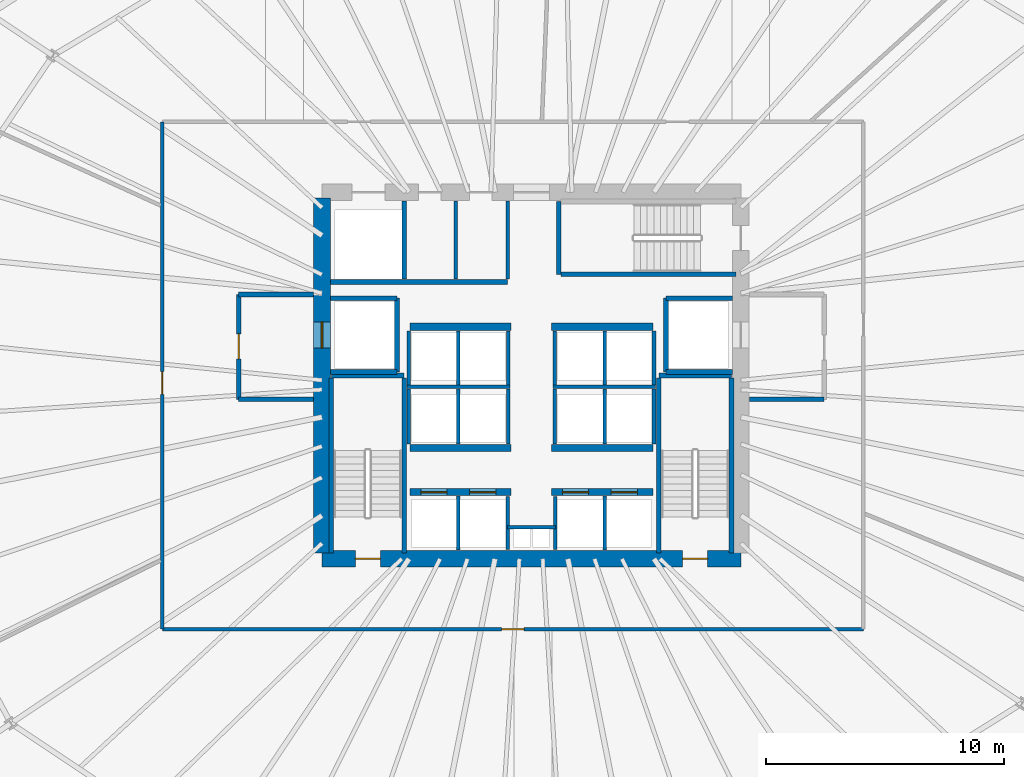
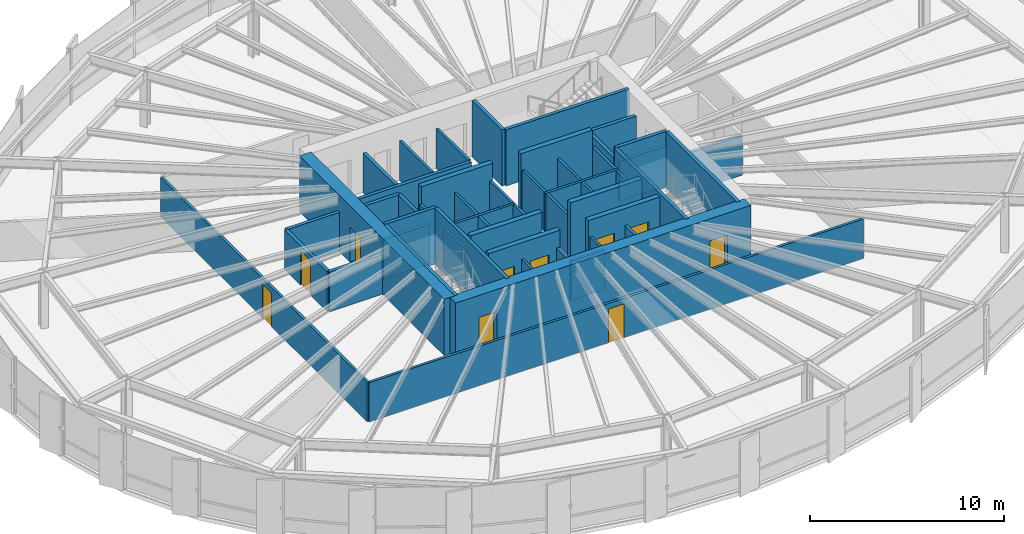
# One storey, part 29 of 35: 51 walls, 10 doors, 10 openings.
"""IFC4 building model written with IfcOpenShell, lengths in metres."""

from ifc_helpers import new_model, si_unit, direction, frame, frame_2d, origin, place, context, subcontext, project, spatial, rectangle, extrude, source, transform, mapped, material, layer, layer_set, type_object, element, fill, save


model = new_model("IFC4")

# Units and contexts
model_context = context("Model", 3, precision=1e-05, world=origin(), true_north=direction((0.0, 1.0)))
body_context = subcontext(model_context, "Body", "Model", "MODEL_VIEW")
ifc_project = project(units=[si_unit("LENGTHUNIT", "METRE"), si_unit("AREAUNIT", "SQUARE_METRE"), si_unit("VOLUMEUNIT", "CUBIC_METRE"), si_unit("PLANEANGLEUNIT", "RADIAN"), si_unit("MASSUNIT", "GRAM", prefix="KILO"), si_unit("THERMODYNAMICTEMPERATUREUNIT", "KELVIN")], contexts=[model_context])

# Site, building, storey
site_placement = place(None, origin())
site = spatial("IfcSite", under=ifc_project, at=site_placement, CompositionType="ELEMENT")
building_placement = place(site_placement, origin())
building = spatial("IfcBuilding", under=site, at=building_placement, Name="Kethvar Cultural Tower", CompositionType="ELEMENT")
storey_placement = place(building_placement, frame((0.0, 0.0, 71.39990234375)))
storey = spatial("IfcBuildingStorey", under=building, at=storey_placement, Name="L17", CompositionType="ELEMENT", Elevation=71.39990234375)

# Wall, openings, doors
ifc_material_1 = material(Name="Concrete C60/75", Category="concrete")
ifc_layer_1 = layer(ifc_material_1, 0.699951171875, Name="Concrete C60/75", Category="concrete")
ifc_layer_set_1 = layer_set([ifc_layer_1], Name="Concrete C60/75 (700 mm)")
wall_type_1 = type_object("IfcWallType", Name="WL-CORE-700", PredefinedType="SHEAR", material=ifc_layer_set_1)
wall_1_placement = place(storey_placement, frame((38.0, 20.10009765625, 0.0), z_axis=(0.0, 0.0, 1.0), x_axis=(1.0, 0.0, 0.0)))
wall_1 = element("IfcWall", 1, at=wall_1_placement, inside=storey, type_object=wall_type_1, Name="L17 Core Shear Wall S", PredefinedType="SHEAR", context=body_context, shape_type="SweptSolid", body=[
    extrude(rectangle(XDim=17.60009765625, YDim=0.699951171875, at=frame_2d((8.800048828125, 0.0))), origin(), (0.0, 0.0, 1.0), 3.5400390625),
])
opening_1_placement = place(wall_1_placement, frame((1.39990234375, 0.0, 0.0)))
opening_1 = element("IfcOpeningElement", 2, at=opening_1_placement, cuts=wall_1, Name="Opening D-L17-S1", PredefinedType="OPENING", context=body_context, shape_type="SweptSolid", body=[
    extrude(rectangle(XDim=1.050048828125, YDim=2.14990234375, at=frame_2d((0.52490234375, 1.074951171875))), frame((0.0, 0.35986328125, 0.0), z_axis=(0.0, -1.0, 0.0), x_axis=(1.0, 0.0, 0.0)), (0.0, 0.0, 1.0), 0.719970703125),
])
opening_2_placement = place(wall_1_placement, frame((15.14990234375, 0.0, 0.0)))
opening_2 = element("IfcOpeningElement", 3, at=opening_2_placement, cuts=wall_1, Name="Opening D-L17-ST2", PredefinedType="OPENING", context=body_context, shape_type="SweptSolid", body=[
    extrude(rectangle(XDim=1.050048828125, YDim=2.14990234375, at=frame_2d((0.52490234375, 1.074951171875))), frame((0.0, 0.35986328125, 0.0), z_axis=(0.0, -1.0, 0.0), x_axis=(1.0, 0.0, 0.0)), (0.0, 0.0, 1.0), 0.719970703125),
])
ifc_material_2 = material(Name="Steel S355J2", Category="steel")
door_type_1 = type_object("IfcDoorType", Name="DR-FD60-1050", OperationType="NOTDEFINED", PredefinedType="DOOR", material=ifc_material_2)
shared_shape_1 = source(origin(), body_context, "Body", "SweptSolid", [
    extrude(rectangle(XDim=1.050048828125, YDim=2.14990234375, at=frame_2d((0.52490234375, 1.074951171875))), frame((0.0, 0.02490234375, 0.0), z_axis=(0.0, -1.0, 0.0), x_axis=(1.0, 0.0, 0.0)), (0.0, 0.0, 1.0), 0.050048828125),
])
door_1_placement = place(opening_1_placement, origin())
door_1 = element("IfcDoor", 4, at=door_1_placement, inside=storey, type_object=door_type_1, Name="L17 Exit Stair 1 Door", OperationType="SINGLE_SWING_LEFT", OverallHeight=2.14990234375, OverallWidth=1.050048828125, PredefinedType="DOOR", context=body_context, shape_type="MappedRepresentation", body=[
    mapped(shared_shape_1, transform((0.0, 0.0, 0.0), scale=1.0)),
])
fill(opening_1, door_1)
door_2_placement = place(opening_2_placement, origin())
door_2 = element("IfcDoor", 5, at=door_2_placement, inside=storey, type_object=door_type_1, Name="L17 Exit Stair 2 Door", OperationType="SINGLE_SWING_RIGHT", OverallHeight=2.14990234375, OverallWidth=1.050048828125, PredefinedType="DOOR", context=body_context, shape_type="MappedRepresentation", body=[
    mapped(shared_shape_1, transform((0.0, 0.0, 0.0), scale=1.0)),
])
fill(opening_2, door_2)

# Wall, opening, door
wall_2_placement = place(storey_placement, frame((38.0, 35.260009765625, 0.0), z_axis=(0.0, 0.0, 1.0), x_axis=(0.0, -1.0, 0.0)))
wall_2 = element("IfcWall", 6, at=wall_2_placement, inside=storey, type_object=wall_type_1, Name="L17 Core Shear Wall W", PredefinedType="SHEAR", context=body_context, shape_type="SweptSolid", body=[
    extrude(rectangle(XDim=14.919921875, YDim=0.699951171875, at=frame_2d((7.4599609375, 0.0))), origin(), (0.0, 0.0, 1.0), 3.5400390625),
])
opening_3_placement = place(wall_2_placement, frame((5.2099609375, 0.0, 0.0)))
opening_3 = element("IfcOpeningElement", 7, at=opening_3_placement, cuts=wall_2, Name="Opening LD-1", PredefinedType="OPENING", context=body_context, shape_type="SweptSolid", body=[
    extrude(rectangle(XDim=1.10009765625, YDim=2.199951171875, at=frame_2d((0.550048828125, 1.10009765625))), frame((0.0, 0.35986328125, 0.0), z_axis=(0.0, -1.0, 0.0), x_axis=(1.0, 0.0, 0.0)), (0.0, 0.0, 1.0), 0.719970703125),
])
door_type_2 = type_object("IfcDoorType", Name="DR-LIFT-SLIDE-1100", OperationType="NOTDEFINED", PredefinedType="DOOR", material=ifc_material_2)
shared_shape_2 = source(origin(), body_context, "Body", "SweptSolid", [
    extrude(rectangle(XDim=1.10009765625, YDim=2.199951171875, at=frame_2d((0.550048828125, 1.10009765625))), frame((0.0, 0.02490234375, 0.0), z_axis=(0.0, -1.0, 0.0), x_axis=(1.0, 0.0, 0.0)), (0.0, 0.0, 1.0), 0.050048828125),
])
door_3_placement = place(opening_3_placement, origin())
door_3 = element("IfcDoor", 8, at=door_3_placement, inside=storey, type_object=door_type_2, Name="L17 Firefighting Lift Landing Door FFL-01", OperationType="SLIDING_TO_LEFT", OverallHeight=2.199951171875, OverallWidth=1.10009765625, PredefinedType="DOOR", context=body_context, shape_type="MappedRepresentation", body=[
    mapped(shared_shape_2, transform((0.0, 0.0, 0.0), scale=1.0)),
])
fill(opening_3, door_3)

# Walls
ifc_material_3 = material(Name="Gypsum Fireboard Partition")
ifc_layer_2 = layer(ifc_material_3, 0.14990234375, Name="Gypsum Fireboard Partition")
ifc_layer_set_2 = layer_set([ifc_layer_2], Name="Gypsum Fireboard Partition (150 mm)")
wall_type_2 = type_object("IfcWallType", Name="WL-FIRE-150", PredefinedType="PARTITIONING", material=ifc_layer_set_2)
wall_3_placement = place(storey_placement, frame((45.800048828125, 21.419921875, 0.0), z_axis=(0.0, 0.0, 1.0), x_axis=(1.0, 0.0, 0.0)))
element("IfcWall", 9, at=wall_3_placement, inside=storey, type_object=wall_type_2, Name="L17 Core Riser Wall", PredefinedType="PARTITIONING", context=body_context, shape_type="SweptSolid", body=[
    extrude(rectangle(XDim=2.0, YDim=0.14990234375, at=frame_2d((1.0, 0.0))), origin(), (0.0, 0.0, 1.0), 2.4951171875),
])
for number, where, z_axis, x_axis, name in (
    (10, (45.800048828125, 20.47998046875, 0.0), (0.0, 0.0, 1.0), (0.0, 1.0, 0.0), "L17 Core Riser West Wall"),
    (11, (47.800048828125, 20.47998046875, 0.0), (0.0, 0.0, 1.0), (0.0, 1.0, 0.0), "L17 Core Riser East Wall"),
):
    element("IfcWall", number, at=place(storey_placement, frame(where, z_axis=z_axis, x_axis=x_axis)), inside=storey, type_object=wall_type_2, Name=name, PredefinedType="PARTITIONING", context=body_context, shape_type="SweptSolid", body=[
        extrude(rectangle(XDim=2.239990234375, YDim=0.14990234375, at=frame_2d((1.1201171875, 0.0))), origin(), (0.0, 0.0, 1.0), 2.4951171875),
    ])
for number, where, z_axis, x_axis, name in (
    (12, (43.72509765625, 20.4599609375, 0.0), (0.0, 0.0, 1.0), (0.0, 1.0, 0.0), "L17 Low-Rise Lift Shaft Divider W"),
    (13, (49.875, 20.4599609375, 0.0), (0.0, 0.0, 1.0), (0.0, 1.0, 0.0), "L17 Low-Rise Lift Shaft Divider E"),
):
    element("IfcWall", number, at=place(storey_placement, frame(where, z_axis=z_axis, x_axis=x_axis)), inside=storey, type_object=wall_type_2, Name=name, PredefinedType="PARTITIONING", context=body_context, shape_type="SweptSolid", body=[
        extrude(rectangle(XDim=2.27001953125, YDim=0.14990234375, at=frame_2d((1.135009765625, 0.0))), origin(), (0.0, 0.0, 1.0), 2.4951171875),
    ])
wall_4_placement = place(storey_placement, frame((41.580078125, 27.324951171875, 0.0), z_axis=(0.0, 0.0, 1.0), x_axis=(1.0, 0.0, 0.0)))
element("IfcWall", 14, at=wall_4_placement, inside=storey, type_object=wall_type_2, Name="L17 Mid-High Lift Shaft Back Wall W", PredefinedType="PARTITIONING", context=body_context, shape_type="SweptSolid", body=[
    extrude(rectangle(XDim=4.31982421875, YDim=0.14990234375, at=frame_2d((2.159912109375, 0.0))), origin(), (0.0, 0.0, 1.0), 2.4951171875),
])
wall_5_placement = place(storey_placement, frame((47.699951171875, 27.324951171875, 0.0), z_axis=(0.0, 0.0, 1.0), x_axis=(1.0, 0.0, 0.0)))
element("IfcWall", 15, at=wall_5_placement, inside=storey, type_object=wall_type_2, Name="L17 Mid-High Lift Shaft Back Wall E", PredefinedType="PARTITIONING", context=body_context, shape_type="SweptSolid", body=[
    extrude(rectangle(XDim=4.320068359375, YDim=0.14990234375, at=frame_2d((2.16015625, 0.0))), origin(), (0.0, 0.0, 1.0), 2.4951171875),
])
for number, where, z_axis, x_axis, name in (
    (16, (41.64990234375, 24.919921875, 0.0), (0.0, 0.0, 1.0), (0.0, 1.0, 0.0), "L17 Mid-Rise Lift Shaft Outer Wall W"),
    (17, (43.72509765625, 24.919921875, 0.0), (0.0, 0.0, 1.0), (0.0, 1.0, 0.0), "L17 Mid-Rise Lift Shaft Divider W"),
    (18, (45.824951171875, 24.919921875, 0.0), (0.0, 0.0, 1.0), (0.0, 1.0, 0.0), "L17 Mid-Rise Lift Shaft Concourse Wall W"),
    (19, (47.77490234375, 24.919921875, 0.0), (0.0, 0.0, 1.0), (0.0, 1.0, 0.0), "L17 Mid-Rise Lift Shaft Concourse Wall E"),
    (20, (49.875, 24.919921875, 0.0), (0.0, 0.0, 1.0), (0.0, 1.0, 0.0), "L17 Mid-Rise Lift Shaft Divider E"),
    (21, (51.949951171875, 24.919921875, 0.0), (0.0, 0.0, 1.0), (0.0, 1.0, 0.0), "L17 Mid-Rise Lift Shaft Outer Wall E"),
):
    element("IfcWall", number, at=place(storey_placement, frame(where, z_axis=z_axis, x_axis=x_axis)), inside=storey, type_object=wall_type_2, Name=name, PredefinedType="PARTITIONING", context=body_context, shape_type="SweptSolid", body=[
        extrude(rectangle(XDim=2.320068359375, YDim=0.14990234375, at=frame_2d((1.16015625, 0.0))), origin(), (0.0, 0.0, 1.0), 2.4951171875),
    ])
for number, where, z_axis, x_axis, name in (
    (22, (41.64990234375, 27.409912109375, 0.0), (0.0, 0.0, 1.0), (0.0, 1.0, 0.0), "L17 High-Rise Lift Shaft Outer Wall W"),
    (23, (43.72509765625, 27.409912109375, 0.0), (0.0, 0.0, 1.0), (0.0, 1.0, 0.0), "L17 High-Rise Lift Shaft Divider W"),
    (24, (45.824951171875, 27.409912109375, 0.0), (0.0, 0.0, 1.0), (0.0, 1.0, 0.0), "L17 High-Rise Lift Shaft Concourse Wall W"),
    (25, (47.77490234375, 27.409912109375, 0.0), (0.0, 0.0, 1.0), (0.0, 1.0, 0.0), "L17 High-Rise Lift Shaft Concourse Wall E"),
    (26, (49.875, 27.409912109375, 0.0), (0.0, 0.0, 1.0), (0.0, 1.0, 0.0), "L17 High-Rise Lift Shaft Divider E"),
    (27, (51.949951171875, 27.409912109375, 0.0), (0.0, 0.0, 1.0), (0.0, 1.0, 0.0), "L17 High-Rise Lift Shaft Outer Wall E"),
):
    element("IfcWall", number, at=place(storey_placement, frame(where, z_axis=z_axis, x_axis=x_axis)), inside=storey, type_object=wall_type_2, Name=name, PredefinedType="PARTITIONING", context=body_context, shape_type="SweptSolid", body=[
        extrude(rectangle(XDim=2.27001953125, YDim=0.14990234375, at=frame_2d((1.135009765625, 0.0))), origin(), (0.0, 0.0, 1.0), 2.4951171875),
    ])
wall_6_placement = place(storey_placement, frame((45.800048828125, 31.85009765625, 0.0), z_axis=(0.0, 0.0, 1.0), x_axis=(0.0, 1.0, 0.0)))
element("IfcWall", 28, at=wall_6_placement, inside=storey, type_object=wall_type_2, Name="L17 Sanitary Spine Wall", PredefinedType="PARTITIONING", context=body_context, shape_type="SweptSolid", body=[
    extrude(rectangle(XDim=3.289794921875, YDim=0.14990234375, at=frame_2d((1.64501953125, 0.0))), origin(), (0.0, 0.0, 1.0), 2.4951171875),
])

# Wall, opening, door
wall_7_placement = place(storey_placement, frame((31.2900390625, 17.139892578125, 0.0), z_axis=(0.0, 0.0, 1.0), x_axis=(1.0, 0.0, 0.0)))
wall_7 = element("IfcWall", 29, at=wall_7_placement, inside=storey, type_object=wall_type_2, Name="L17 Corridor Rated Wall S", PredefinedType="PARTITIONING", context=body_context, shape_type="SweptSolid", body=[
    extrude(rectangle(XDim=29.4599609375, YDim=0.14990234375, at=frame_2d((14.72998046875, 0.0))), origin(), (0.0, 0.0, 1.0), 2.4951171875),
])
opening_4_placement = place(wall_7_placement, frame((14.2548828125, 0.0, 0.0)))
opening_4 = element("IfcOpeningElement", 30, at=opening_4_placement, cuts=wall_7, Name="Opening D-L17-01", PredefinedType="OPENING", context=body_context, shape_type="SweptSolid", body=[
    extrude(rectangle(XDim=0.949951171875, YDim=2.14990234375, at=frame_2d((0.47509765625, 1.074951171875))), frame((0.0, 0.0849609375, 0.0), z_axis=(0.0, -1.0, 0.0), x_axis=(1.0, 0.0, 0.0)), (0.0, 0.0, 1.0), 0.169921875),
])
ifc_material_4 = material(Name="Architectural Oak Timber", Category="wood")
door_type_3 = type_object("IfcDoorType", Name="DR-FD30-950", OperationType="NOTDEFINED", PredefinedType="DOOR", material=ifc_material_4)
shared_shape_3 = source(origin(), body_context, "Body", "SweptSolid", [
    extrude(rectangle(XDim=0.949951171875, YDim=2.14990234375, at=frame_2d((0.47509765625, 1.074951171875))), frame((0.0, 0.02490234375, 0.0), z_axis=(0.0, -1.0, 0.0), x_axis=(1.0, 0.0, 0.0)), (0.0, 0.0, 1.0), 0.050048828125),
])
door_4_placement = place(opening_4_placement, origin())
door_4 = element("IfcDoor", 31, at=door_4_placement, inside=storey, type_object=door_type_3, Name="L17 Members' Dining Lounge 01 Door", OperationType="SINGLE_SWING_RIGHT", OverallHeight=2.14990234375, OverallWidth=0.949951171875, PredefinedType="DOOR", context=body_context, shape_type="MappedRepresentation", body=[
    mapped(shared_shape_3, transform((0.0, 0.0, 0.0), scale=1.0)),
])
fill(opening_4, door_4)

wall_8_placement = place(storey_placement, frame((31.2900390625, 38.4599609375, 0.0), z_axis=(0.0, 0.0, 1.0), x_axis=(0.0, -1.0, 0.0)))
wall_8 = element("IfcWall", 32, at=wall_8_placement, inside=storey, type_object=wall_type_2, Name="L17 Corridor Rated Wall W", PredefinedType="PARTITIONING", context=body_context, shape_type="SweptSolid", body=[
    extrude(rectangle(XDim=21.320068359375, YDim=0.14990234375, at=frame_2d((10.66015625, 0.0))), origin(), (0.0, 0.0, 1.0), 2.4951171875),
])
opening_5_placement = place(wall_8_placement, frame((10.501953125, 0.0, 0.0)))
opening_5 = element("IfcOpeningElement", 33, at=opening_5_placement, cuts=wall_8, Name="Opening D-L17-05", PredefinedType="OPENING", context=body_context, shape_type="SweptSolid", body=[
    extrude(rectangle(XDim=0.949951171875, YDim=2.14990234375, at=frame_2d((0.47509765625, 1.074951171875))), frame((0.0, 0.0849609375, 0.0), z_axis=(0.0, -1.0, 0.0), x_axis=(1.0, 0.0, 0.0)), (0.0, 0.0, 1.0), 0.169921875),
])
door_5_placement = place(opening_5_placement, origin())
door_5 = element("IfcDoor", 34, at=door_5_placement, inside=storey, type_object=door_type_3, Name="L17 Laboratory Tea Pantry 05 Door", OperationType="SINGLE_SWING_RIGHT", OverallHeight=2.14990234375, OverallWidth=0.949951171875, PredefinedType="DOOR", context=body_context, shape_type="MappedRepresentation", body=[
    mapped(shared_shape_3, transform((0.0, 0.0, 0.0), scale=1.0)),
])
fill(opening_5, door_5)

# Walls
ifc_material_5 = material(Name="Concrete C40/50", Category="concrete")
ifc_layer_3 = layer(ifc_material_5, 0.199951171875, Name="Concrete C40/50", Category="concrete")
ifc_layer_set_3 = layer_set([ifc_layer_3], Name="Concrete C40/50 (200 mm)")
wall_type_3 = type_object("IfcWallType", Name="WL-FIRE-200", PredefinedType="PARTITIONING", material=ifc_layer_set_3)
wall_9_placement = place(storey_placement, frame((41.14990234375, 27.949951171875, 0.0), z_axis=(0.0, 0.0, 1.0), x_axis=(0.0, 1.0, 0.0)))
element("IfcWall", 35, at=wall_9_placement, inside=storey, type_object=wall_type_3, Name="L17 FFL-01 Shaft Inner Wall", PredefinedType="PARTITIONING", context=body_context, shape_type="SweptSolid", body=[
    extrude(rectangle(XDim=3.10009765625, YDim=0.199951171875, at=frame_2d((1.550048828125, 0.0))), origin(), (0.0, 0.0, 1.0), 2.4951171875),
])
for number, where, z_axis, x_axis, name in (
    (36, (38.360107421875, 27.949951171875, 0.0), (0.0, 0.0, 1.0), (1.0, 0.0, 0.0), "L17 FFL-01 Shaft South Wall"),
    (37, (38.360107421875, 31.050048828125, 0.0), (0.0, 0.0, 1.0), (1.0, 0.0, 0.0), "L17 FFL-01 Shaft North Wall"),
):
    element("IfcWall", number, at=place(storey_placement, frame(where, z_axis=z_axis, x_axis=x_axis)), inside=storey, type_object=wall_type_3, Name=name, PredefinedType="PARTITIONING", context=body_context, shape_type="SweptSolid", body=[
        extrude(rectangle(XDim=2.789794921875, YDim=0.199951171875, at=frame_2d((1.39501953125, 0.0))), origin(), (0.0, 0.0, 1.0), 2.4951171875),
    ])

# Wall, opening, door
wall_10_placement = place(storey_placement, frame((34.5, 31.199951171875, 0.0), z_axis=(0.0, 0.0, 1.0), x_axis=(0.0, -1.0, 0.0)))
wall_10 = element("IfcWall", 38, at=wall_10_placement, inside=storey, type_object=wall_type_3, Name="L17 Firefighting Lobby 1 Wall", PredefinedType="PARTITIONING", context=body_context, shape_type="SweptSolid", body=[
    extrude(rectangle(XDim=4.39990234375, YDim=0.199951171875, at=frame_2d((2.199951171875, 0.0))), origin(), (0.0, 0.0, 1.0), 2.4951171875),
])
opening_6_placement = place(wall_10_placement, frame((1.64990234375, 0.0, 0.0)))
opening_6 = element("IfcOpeningElement", 39, at=opening_6_placement, cuts=wall_10, Name="Opening D-L17-F1", PredefinedType="OPENING", context=body_context, shape_type="SweptSolid", body=[
    extrude(rectangle(XDim=1.050048828125, YDim=2.14990234375, at=frame_2d((0.52490234375, 1.074951171875))), frame((0.0, 0.10986328125, 0.0), z_axis=(0.0, -1.0, 0.0), x_axis=(1.0, 0.0, 0.0)), (0.0, 0.0, 1.0), 0.219970703125),
])
door_6_placement = place(opening_6_placement, origin())
door_6 = element("IfcDoor", 40, at=door_6_placement, inside=storey, type_object=door_type_1, Name="L17 Firefighting Lobby 1 Fire Door", OperationType="SINGLE_SWING_LEFT", OverallHeight=2.14990234375, OverallWidth=1.050048828125, PredefinedType="DOOR", context=body_context, shape_type="MappedRepresentation", body=[
    mapped(shared_shape_1, transform((0.0, 0.0, 0.0), scale=1.0)),
])
fill(opening_6, door_6)

# Walls
for number, where, z_axis, x_axis, name in (
    (41, (34.5, 26.800048828125, 0.0), (0.0, 0.0, 1.0), (1.0, 0.0, 0.0), "L17 FF Lobby 1 South Wall"),
    (42, (34.5, 31.199951171875, 0.0), (0.0, 0.0, 1.0), (1.0, 0.0, 0.0), "L17 FF Lobby 1 North Wall"),
):
    element("IfcWall", number, at=place(storey_placement, frame(where, z_axis=z_axis, x_axis=x_axis)), inside=storey, type_object=wall_type_3, Name=name, PredefinedType="PARTITIONING", context=body_context, shape_type="SweptSolid", body=[
        extrude(rectangle(XDim=3.139892578125, YDim=0.199951171875, at=frame_2d((1.56982421875, 0.0))), origin(), (0.0, 0.0, 1.0), 2.4951171875),
    ])
wall_11_placement = place(storey_placement, frame((52.449951171875, 27.949951171875, 0.0), z_axis=(0.0, 0.0, 1.0), x_axis=(0.0, 1.0, 0.0)))
element("IfcWall", 43, at=wall_11_placement, inside=storey, type_object=wall_type_3, Name="L17 FFL-02 Shaft Inner Wall", PredefinedType="PARTITIONING", context=body_context, shape_type="SweptSolid", body=[
    extrude(rectangle(XDim=3.10009765625, YDim=0.199951171875, at=frame_2d((1.550048828125, 0.0))), origin(), (0.0, 0.0, 1.0), 2.4951171875),
])
for number, where, z_axis, x_axis, name in (
    (44, (52.449951171875, 27.949951171875, 0.0), (0.0, 0.0, 1.0), (1.0, 0.0, 0.0), "L17 FFL-02 Shaft South Wall"),
    (45, (52.449951171875, 31.050048828125, 0.0), (0.0, 0.0, 1.0), (1.0, 0.0, 0.0), "L17 FFL-02 Shaft North Wall"),
):
    element("IfcWall", number, at=place(storey_placement, frame(where, z_axis=z_axis, x_axis=x_axis)), inside=storey, type_object=wall_type_3, Name=name, PredefinedType="PARTITIONING", context=body_context, shape_type="SweptSolid", body=[
        extrude(rectangle(XDim=2.7900390625, YDim=0.199951171875, at=frame_2d((1.39501953125, 0.0))), origin(), (0.0, 0.0, 1.0), 2.4951171875),
    ])
wall_12_placement = place(storey_placement, frame((55.9599609375, 26.800048828125, 0.0), z_axis=(0.0, 0.0, 1.0), x_axis=(1.0, 0.0, 0.0)))
element("IfcWall", 46, at=wall_12_placement, inside=storey, type_object=wall_type_3, Name="L17 FF Lobby 2 South Wall", PredefinedType="PARTITIONING", context=body_context, shape_type="SweptSolid", body=[
    extrude(rectangle(XDim=3.14013671875, YDim=0.199951171875, at=frame_2d((1.570068359375, 0.0))), origin(), (0.0, 0.0, 1.0), 2.4951171875),
])
wall_13_placement = place(storey_placement, frame((41.449951171875, 31.85009765625, 0.0), z_axis=(0.0, 0.0, 1.0), x_axis=(0.0, 1.0, 0.0)))
element("IfcWall", 47, at=wall_13_placement, inside=storey, type_object=wall_type_3, Name="L17 NW Core Pocket Wall", PredefinedType="PARTITIONING", context=body_context, shape_type="SweptSolid", body=[
    extrude(rectangle(XDim=3.289794921875, YDim=0.199951171875, at=frame_2d((1.64501953125, 0.0))), origin(), (0.0, 0.0, 1.0), 2.4951171875),
])
wall_14_placement = place(storey_placement, frame((38.360107421875, 31.72998046875, 0.0), z_axis=(0.0, 0.0, 1.0), x_axis=(1.0, 0.0, 0.0)))
element("IfcWall", 48, at=wall_14_placement, inside=storey, type_object=wall_type_3, Name="L17 North Core Sanitary South Wall", PredefinedType="PARTITIONING", context=body_context, shape_type="SweptSolid", body=[
    extrude(rectangle(XDim=7.43994140625, YDim=0.199951171875, at=frame_2d((3.719970703125, 0.0))), origin(), (0.0, 0.0, 1.0), 2.4951171875),
])
ifc_material_6 = material(Name="Moisture-Resistant Sanitary Chase Wall")
ifc_layer_4 = layer(ifc_material_6, 0.14990234375, Name="Moisture-Resistant Sanitary Chase Wall")
ifc_layer_set_4 = layer_set([ifc_layer_4], Name="Moisture-Resistant Sanitary Chase Wall (150 mm)")
wall_type_4 = type_object("IfcWallType", Name="WL-PLUMB-150", PredefinedType="PLUMBINGWALL", material=ifc_layer_set_4)
wall_15_placement = place(storey_placement, frame((43.6201171875, 31.85009765625, 0.0), z_axis=(0.0, 0.0, 1.0), x_axis=(0.0, 1.0, 0.0)))
element("IfcWall", 49, at=wall_15_placement, inside=storey, type_object=wall_type_4, Name="L17 Sanitary Plumbing Wall", PredefinedType="PLUMBINGWALL", context=body_context, shape_type="SweptSolid", body=[
    extrude(rectangle(XDim=3.289794921875, YDim=0.14990234375, at=frame_2d((1.64501953125, 0.0))), origin(), (0.0, 0.0, 1.0), 2.4951171875),
])

# Wall, openings, doors
ifc_material_7 = material(Name="Concrete C50/60", Category="concrete")
ifc_layer_5 = layer(ifc_material_7, 0.300048828125, Name="Concrete C50/60", Category="concrete")
ifc_layer_set_5 = layer_set([ifc_layer_5], Name="Concrete C50/60 (300 mm)")
wall_type_5 = type_object("IfcWallType", Name="WL-SHAFT-300", PredefinedType="SHEAR", material=ifc_layer_set_5)
wall_16_placement = place(storey_placement, frame((41.699951171875, 22.89990234375, 0.0), z_axis=(0.0, 0.0, 1.0), x_axis=(1.0, 0.0, 0.0)))
wall_16 = element("IfcWall", 50, at=wall_16_placement, inside=storey, type_object=wall_type_5, Name="L17 Core Lift Spine Wall MID1W", PredefinedType="SHEAR", context=body_context, shape_type="SweptSolid", body=[
    extrude(rectangle(XDim=4.25, YDim=0.300048828125, at=frame_2d((2.125, 0.0))), origin(), (0.0, 0.0, 1.0), 3.5400390625),
])
opening_7_placement = place(wall_16_placement, frame((0.449951171875, 0.0, 0.0)))
opening_7 = element("IfcOpeningElement", 51, at=opening_7_placement, cuts=wall_16, Name="Opening LD-L1", PredefinedType="OPENING", context=body_context, shape_type="SweptSolid", body=[
    extrude(rectangle(XDim=1.10009765625, YDim=2.199951171875, at=frame_2d((0.550048828125, 1.10009765625))), frame((0.0, 0.159912109375, 0.0), z_axis=(0.0, -1.0, 0.0), x_axis=(1.0, 0.0, 0.0)), (0.0, 0.0, 1.0), 0.320068359375),
])
opening_8_placement = place(wall_16_placement, frame((2.5, 0.0, 0.0)))
opening_8 = element("IfcOpeningElement", 52, at=opening_8_placement, cuts=wall_16, Name="Opening LD-L2", PredefinedType="OPENING", context=body_context, shape_type="SweptSolid", body=[
    extrude(rectangle(XDim=1.10009765625, YDim=2.199951171875, at=frame_2d((0.550048828125, 1.10009765625))), frame((0.0, 0.159912109375, 0.0), z_axis=(0.0, -1.0, 0.0), x_axis=(1.0, 0.0, 0.0)), (0.0, 0.0, 1.0), 0.320068359375),
])
door_7_placement = place(opening_7_placement, origin())
door_7 = element("IfcDoor", 53, at=door_7_placement, inside=storey, type_object=door_type_2, Name="L17 Low-Rise Lift Landing Door L1", OperationType="SLIDING_TO_LEFT", OverallHeight=2.199951171875, OverallWidth=1.10009765625, PredefinedType="DOOR", context=body_context, shape_type="MappedRepresentation", body=[
    mapped(shared_shape_2, transform((0.0, 0.0, 0.0), scale=1.0)),
])
fill(opening_7, door_7)
door_8_placement = place(opening_8_placement, origin())
door_8 = element("IfcDoor", 54, at=door_8_placement, inside=storey, type_object=door_type_2, Name="L17 Low-Rise Lift Landing Door L2", OperationType="SLIDING_TO_LEFT", OverallHeight=2.199951171875, OverallWidth=1.10009765625, PredefinedType="DOOR", context=body_context, shape_type="MappedRepresentation", body=[
    mapped(shared_shape_2, transform((0.0, 0.0, 0.0), scale=1.0)),
])
fill(opening_8, door_8)

wall_17_placement = place(storey_placement, frame((47.64990234375, 22.89990234375, 0.0), z_axis=(0.0, 0.0, 1.0), x_axis=(1.0, 0.0, 0.0)))
wall_17 = element("IfcWall", 55, at=wall_17_placement, inside=storey, type_object=wall_type_5, Name="L17 Core Lift Spine Wall MID1E", PredefinedType="SHEAR", context=body_context, shape_type="SweptSolid", body=[
    extrude(rectangle(XDim=4.25, YDim=0.300048828125, at=frame_2d((2.125, 0.0))), origin(), (0.0, 0.0, 1.0), 3.5400390625),
])
opening_9_placement = place(wall_17_placement, frame((0.449951171875, 0.0, 0.0)))
opening_9 = element("IfcOpeningElement", 56, at=opening_9_placement, cuts=wall_17, Name="Opening LD-L3", PredefinedType="OPENING", context=body_context, shape_type="SweptSolid", body=[
    extrude(rectangle(XDim=1.10009765625, YDim=2.199951171875, at=frame_2d((0.550048828125, 1.10009765625))), frame((0.0, 0.159912109375, 0.0), z_axis=(0.0, -1.0, 0.0), x_axis=(1.0, 0.0, 0.0)), (0.0, 0.0, 1.0), 0.320068359375),
])
opening_10_placement = place(wall_17_placement, frame((2.5, 0.0, 0.0)))
opening_10 = element("IfcOpeningElement", 57, at=opening_10_placement, cuts=wall_17, Name="Opening LD-L4", PredefinedType="OPENING", context=body_context, shape_type="SweptSolid", body=[
    extrude(rectangle(XDim=1.10009765625, YDim=2.199951171875, at=frame_2d((0.550048828125, 1.10009765625))), frame((0.0, 0.159912109375, 0.0), z_axis=(0.0, -1.0, 0.0), x_axis=(1.0, 0.0, 0.0)), (0.0, 0.0, 1.0), 0.320068359375),
])
door_9_placement = place(opening_9_placement, origin())
door_9 = element("IfcDoor", 58, at=door_9_placement, inside=storey, type_object=door_type_2, Name="L17 Low-Rise Lift Landing Door L3", OperationType="SLIDING_TO_LEFT", OverallHeight=2.199951171875, OverallWidth=1.10009765625, PredefinedType="DOOR", context=body_context, shape_type="MappedRepresentation", body=[
    mapped(shared_shape_2, transform((0.0, 0.0, 0.0), scale=1.0)),
])
fill(opening_9, door_9)
door_10_placement = place(opening_10_placement, origin())
door_10 = element("IfcDoor", 59, at=door_10_placement, inside=storey, type_object=door_type_2, Name="L17 Low-Rise Lift Landing Door L4", OperationType="SLIDING_TO_LEFT", OverallHeight=2.199951171875, OverallWidth=1.10009765625, PredefinedType="DOOR", context=body_context, shape_type="MappedRepresentation", body=[
    mapped(shared_shape_2, transform((0.0, 0.0, 0.0), scale=1.0)),
])
fill(opening_10, door_10)

# Walls
for number, where, z_axis, x_axis, name in (
    (60, (41.699951171875, 24.75, 0.0), (0.0, 0.0, 1.0), (1.0, 0.0, 0.0), "L17 Core Lift Spine Wall MID2W"),
    (61, (47.64990234375, 24.75, 0.0), (0.0, 0.0, 1.0), (1.0, 0.0, 0.0), "L17 Core Lift Spine Wall MID2E"),
    (62, (41.699951171875, 29.85009765625, 0.0), (0.0, 0.0, 1.0), (1.0, 0.0, 0.0), "L17 Core Lift Spine Wall MID3W"),
    (63, (47.64990234375, 29.85009765625, 0.0), (0.0, 0.0, 1.0), (1.0, 0.0, 0.0), "L17 Core Lift Spine Wall MID3E"),
):
    element("IfcWall", number, at=place(storey_placement, frame(where, z_axis=z_axis, x_axis=x_axis)), inside=storey, type_object=wall_type_5, Name=name, PredefinedType="SHEAR", context=body_context, shape_type="SweptSolid", body=[
        extrude(rectangle(XDim=4.25, YDim=0.300048828125, at=frame_2d((2.125, 0.0))), origin(), (0.0, 0.0, 1.0), 3.5400390625),
    ])
ifc_layer_6 = layer(ifc_material_7, 0.199951171875, Name="Concrete C50/60", Category="concrete")
ifc_layer_set_6 = layer_set([ifc_layer_6], Name="Concrete C50/60 (200 mm)")
wall_type_6 = type_object("IfcWallType", Name="WL-STSHAFT-200", PredefinedType="SHEAR", material=ifc_layer_set_6)
wall_18_placement = place(storey_placement, frame((38.389892578125, 27.800048828125, 0.0), z_axis=(0.0, 0.0, 1.0), x_axis=(1.0, 0.0, 0.0)))
element("IfcWall", 64, at=wall_18_placement, inside=storey, type_object=wall_type_6, Name="L17 ST-01 Stair Shaft Wall FAR", PredefinedType="SHEAR", context=body_context, shape_type="SweptSolid", body=[
    extrude(rectangle(XDim=3.06005859375, YDim=0.199951171875, at=frame_2d((1.530029296875, 0.0))), origin(), (0.0, 0.0, 1.0), 3.5400390625),
])
for number, where, z_axis, x_axis, name in (
    (65, (41.449951171875, 27.699951171875, 0.0), (0.0, 0.0, 1.0), (0.0, -1.0, 0.0), "L17 ST-01 Stair Shaft Wall LEFT"),
    (66, (38.389892578125, 20.35009765625, 0.0), (0.0, 0.0, 1.0), (0.0, 1.0, 0.0), "L17 ST-01 Stair Shaft Wall RIGHT"),
):
    element("IfcWall", number, at=place(storey_placement, frame(where, z_axis=z_axis, x_axis=x_axis)), inside=storey, type_object=wall_type_6, Name=name, PredefinedType="SHEAR", context=body_context, shape_type="SweptSolid", body=[
        extrude(rectangle(XDim=7.349853515625, YDim=0.199951171875, at=frame_2d((3.6748046875, 0.0))), origin(), (0.0, 0.0, 1.0), 3.5400390625),
    ])
wall_19_placement = place(storey_placement, frame((52.14990234375, 27.800048828125, 0.0), z_axis=(0.0, 0.0, 1.0), x_axis=(1.0, 0.0, 0.0)))
element("IfcWall", 67, at=wall_19_placement, inside=storey, type_object=wall_type_6, Name="L17 ST-02 Stair Shaft Wall FAR", PredefinedType="SHEAR", context=body_context, shape_type="SweptSolid", body=[
    extrude(rectangle(XDim=3.06005859375, YDim=0.199951171875, at=frame_2d((1.530029296875, 0.0))), origin(), (0.0, 0.0, 1.0), 3.5400390625),
])
for number, where, z_axis, x_axis, name in (
    (68, (55.2099609375, 27.699951171875, 0.0), (0.0, 0.0, 1.0), (0.0, -1.0, 0.0), "L17 ST-02 Stair Shaft Wall LEFT"),
    (69, (52.14990234375, 20.35009765625, 0.0), (0.0, 0.0, 1.0), (0.0, 1.0, 0.0), "L17 ST-02 Stair Shaft Wall RIGHT"),
):
    element("IfcWall", number, at=place(storey_placement, frame(where, z_axis=z_axis, x_axis=x_axis)), inside=storey, type_object=wall_type_6, Name=name, PredefinedType="SHEAR", context=body_context, shape_type="SweptSolid", body=[
        extrude(rectangle(XDim=7.349853515625, YDim=0.199951171875, at=frame_2d((3.6748046875, 0.0))), origin(), (0.0, 0.0, 1.0), 3.5400390625),
    ])
wall_20_placement = place(storey_placement, frame((47.949951171875, 32.050048828125, 0.0), z_axis=(0.0, 0.0, 1.0), x_axis=(0.0, 1.0, 0.0)))
element("IfcWall", 70, at=wall_20_placement, inside=storey, type_object=wall_type_6, Name="L17 ST-03 Stair Shaft Wall FAR", PredefinedType="SHEAR", context=body_context, shape_type="SweptSolid", body=[
    extrude(rectangle(XDim=3.06005859375, YDim=0.199951171875, at=frame_2d((1.530029296875, 0.0))), origin(), (0.0, 0.0, 1.0), 3.5400390625),
])
wall_21_placement = place(storey_placement, frame((55.39990234375, 32.050048828125, 0.0), z_axis=(0.0, 0.0, 1.0), x_axis=(-1.0, 0.0, 0.0)))
element("IfcWall", 71, at=wall_21_placement, inside=storey, type_object=wall_type_6, Name="L17 ST-03 Stair Shaft Wall RIGHT", PredefinedType="SHEAR", context=body_context, shape_type="SweptSolid", body=[
    extrude(rectangle(XDim=7.349853515625, YDim=0.199951171875, at=frame_2d((3.6748046875, 0.0))), origin(), (0.0, 0.0, 1.0), 3.5400390625),
])

save(model, "model.ifc")
